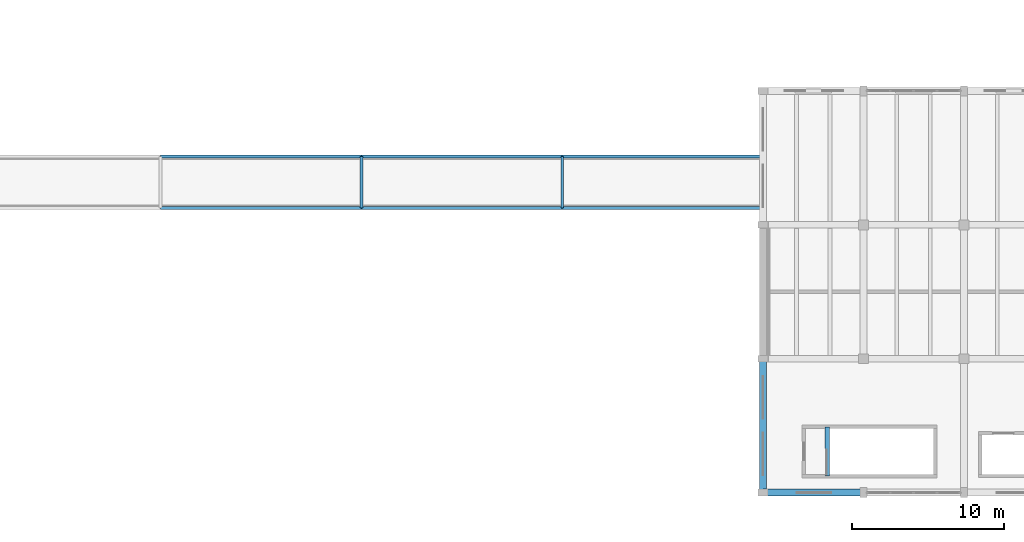
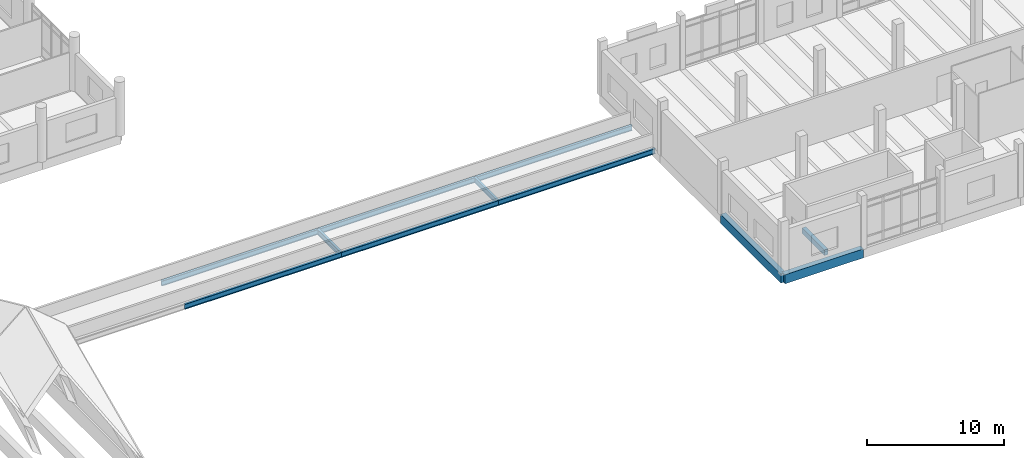
# One storey, part 9 of 76: 11 beams.
"""IFC4 building model written with IfcOpenShell, lengths in metres."""

from ifc_helpers import new_model, si_unit, direction, frame, origin, origin_2d, place, context, subcontext, project, spatial, rectangle, i_section, extrude, material, material_profile, profile_set, type_object, element, save


model = new_model("IFC4")

# Units and contexts
model_context = context("Model", 3, precision=1e-05, world=origin(), true_north=direction((0.0, 1.0)))
body_context = subcontext(model_context, "Body", "Model", "MODEL_VIEW")
ifc_project = project(units=[si_unit("LENGTHUNIT", "METRE"), si_unit("AREAUNIT", "SQUARE_METRE"), si_unit("VOLUMEUNIT", "CUBIC_METRE"), si_unit("PLANEANGLEUNIT", "RADIAN"), si_unit("MASSUNIT", "GRAM", prefix="KILO")], contexts=[model_context])

# Site, building, storey
site_placement = place(None, origin())
site = spatial("IfcSite", under=ifc_project, at=site_placement, CompositionType="ELEMENT")
building_placement = place(site_placement, origin())
building = spatial("IfcBuilding", under=site, at=building_placement, Name="Dornvale Research Institute", CompositionType="ELEMENT")
storey_placement = place(building_placement, frame((0.0, 0.0, 15.0)))
storey = spatial("IfcBuildingStorey", under=building, at=storey_placement, Name="L03", CompositionType="ELEMENT", Elevation=15.0)

# Beams
ifc_material_1 = material(Name="Concrete f'c 45 MPa (C35/45)", Category="concrete")
ifc_material_profile_1 = material_profile(ifc_material_1, rectangle(XDim=0.300048828125, YDim=0.5, at=origin_2d()), Name="RC 300x500")
ifc_profile_set_1 = profile_set([ifc_material_profile_1], Name="Concrete f'c 45 MPa (C35/45)")
beam_type_1 = type_object("IfcBeamType", Name="Beam_RC300x500_Trim", PredefinedType="BEAM", material=ifc_profile_set_1)
beam_1_placement = place(storey_placement, frame((103.219970703125, 1.080078125, -0.25), z_axis=(0.0, 1.0, 0.0), x_axis=(-1.0, 0.0, 0.0)))
element("IfcBeam", 1, at=beam_1_placement, inside=storey, type_object=beam_type_1, Name="L03 ST-5 stair landing trimmer beam #80", PredefinedType="BEAM", context=body_context, shape_type="SweptSolid", body=[
    extrude(rectangle(XDim=0.300048828125, YDim=0.5, at=origin_2d()), origin(), (0.0, 0.0, 1.0), 3.239990234375),
])
ifc_material_2 = material(Name="Steel ASTM A992 Grade 50", Category="steel")
ifc_material_profile_2 = material_profile(ifc_material_2, i_section(OverallWidth=0.19091796875, OverallDepth=0.4599609375, WebThickness=0.010009765625, FlangeThickness=0.01611328125, at=origin_2d()), Name="W18X55")
ifc_profile_set_2 = profile_set([ifc_material_profile_2], Name="Steel ASTM A992 Grade 50")
beam_type_2 = type_object("IfcBeamType", Name="Beam_Steel_W18X55_Canopy", PredefinedType="BEAM", material=ifc_profile_set_2)
for number, where, z_axis, x_axis, name in (
    (2, (59.39990234375, 18.699951171875, -0.409912109375), (1.0, 0.0, 0.0), (0.0, 1.0, 0.0), "L03 BR-6 roof south beam #2026"),
    (3, (59.39990234375, 22.10009765625, -0.409912109375), (1.0, 0.0, 0.0), (0.0, 1.0, 0.0), "L03 BR-6 roof north beam #2026"),
):
    element("IfcBeam", number, at=place(storey_placement, frame(where, z_axis=z_axis, x_axis=x_axis)), inside=storey, type_object=beam_type_2, Name=name, PredefinedType="BEAM", context=body_context, shape_type="SweptSolid", body=[
        extrude(i_section(OverallWidth=0.19091796875, OverallDepth=0.4599609375, WebThickness=0.010009765625, FlangeThickness=0.01611328125, at=origin_2d()), origin(), (0.0, 0.0, 1.0), 13.2001953125),
    ])
for number, where, z_axis, x_axis, name in (
    (4, (72.60009765625, 18.699951171875, -0.409912109375), (1.0, 0.0, 0.0), (0.0, 1.0, 0.0), "L03 BR-6 roof south beam #2026"),
    (5, (72.60009765625, 22.10009765625, -0.409912109375), (1.0, 0.0, 0.0), (0.0, 1.0, 0.0), "L03 BR-6 roof north beam #2026"),
    (6, (85.800048828125, 18.699951171875, -0.409912109375), (1.0, 0.0, 0.0), (0.0, 1.0, 0.0), "L03 BR-6 roof south beam #2026"),
    (7, (85.800048828125, 22.10009765625, -0.409912109375), (1.0, 0.0, 0.0), (0.0, 1.0, 0.0), "L03 BR-6 roof north beam #2026"),
):
    element("IfcBeam", number, at=place(storey_placement, frame(where, z_axis=z_axis, x_axis=x_axis)), inside=storey, type_object=beam_type_2, Name=name, PredefinedType="BEAM", context=body_context, shape_type="SweptSolid", body=[
        extrude(i_section(OverallWidth=0.19091796875, OverallDepth=0.4599609375, WebThickness=0.010009765625, FlangeThickness=0.01611328125, at=origin_2d()), origin(), (0.0, 0.0, 1.0), 13.199951171875),
    ])
for number, where, z_axis, x_axis, name in (
    (8, (72.60009765625, 18.699951171875, -0.409912109375), (0.0, 1.0, 0.0), (-1.0, 0.0, 0.0), "L03 BR-6 roof portal tie #2026"),
    (9, (85.800048828125, 18.699951171875, -0.409912109375), (0.0, 1.0, 0.0), (-1.0, 0.0, 0.0), "L03 BR-6 roof portal tie #2026"),
):
    element("IfcBeam", number, at=place(storey_placement, frame(where, z_axis=z_axis, x_axis=x_axis)), inside=storey, type_object=beam_type_2, Name=name, PredefinedType="BEAM", context=body_context, shape_type="SweptSolid", body=[
        extrude(i_section(OverallWidth=0.19091796875, OverallDepth=0.4599609375, WebThickness=0.010009765625, FlangeThickness=0.01611328125, at=origin_2d()), origin(), (0.0, 0.0, 1.0), 3.400146484375),
    ])
ifc_material_3 = material(Name="Concrete f'c 45 MPa (C35/45)", Category="concrete")
ifc_material_profile_3 = material_profile(ifc_material_3, rectangle(XDim=0.449951171875, YDim=0.800048828125, at=origin_2d()), Name="RC 450x800")
ifc_profile_set_3 = profile_set([ifc_material_profile_3], Name="Concrete f'c 45 MPa (C35/45)")
beam_type_3 = type_object("IfcBeamType", Name="Spandrel_RC450x800_Ext", PredefinedType="SPANDREL", material=ifc_profile_set_3)
beam_2_placement = place(storey_placement, frame((99.0, 0.0, -0.39990234375), z_axis=(1.0, 0.0, 0.0), x_axis=(0.0, 1.0, 0.0)))
element("IfcBeam", 10, at=beam_2_placement, inside=storey, type_object=beam_type_3, Name="L03 perimeter spandrel #979", PredefinedType="SPANDREL", context=body_context, shape_type="SweptSolid", body=[
    extrude(rectangle(XDim=0.449951171875, YDim=0.800048828125, at=origin_2d()), origin(), (0.0, 0.0, 1.0), 6.60009765625),
])
beam_3_placement = place(storey_placement, frame((99.0, 0.0, -0.39990234375), z_axis=(0.0, 1.0, 0.0), x_axis=(-1.0, 0.0, 0.0)))
element("IfcBeam", 11, at=beam_3_placement, inside=storey, type_object=beam_type_3, Name="L03 perimeter spandrel #1027", PredefinedType="SPANDREL", context=body_context, shape_type="SweptSolid", body=[
    extrude(rectangle(XDim=0.449951171875, YDim=0.800048828125, at=origin_2d()), origin(), (0.0, 0.0, 1.0), 8.800048828125),
])

save(model, "model.ifc")
